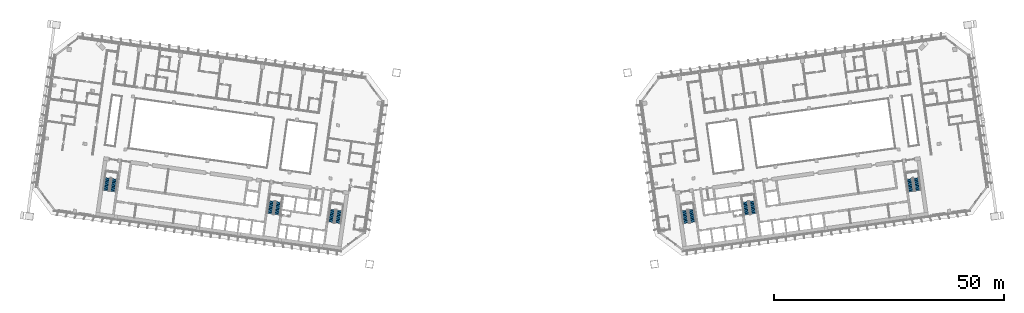
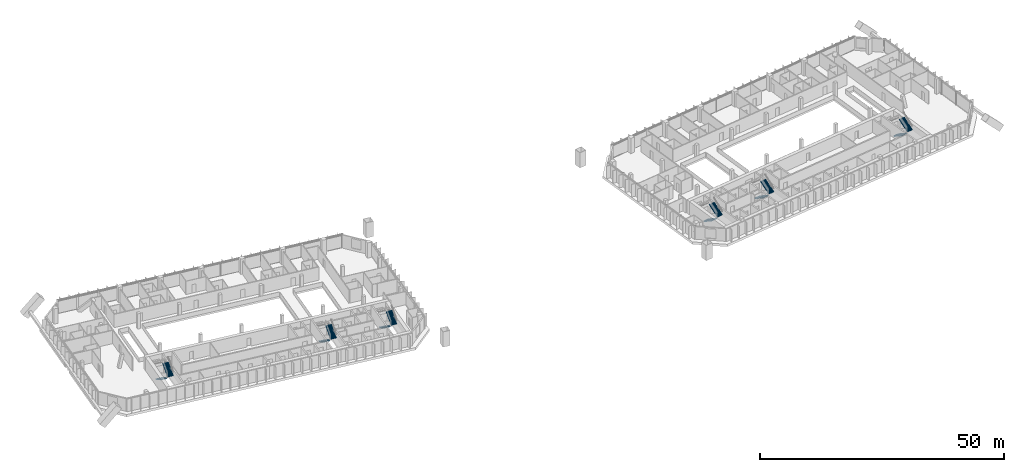
# One storey, part 27 of 34: 12 stair flights, 6 elements without a shape of their own.
"""IFC4 building model written with IfcOpenShell, lengths in metres."""

from ifc_helpers import new_model, si_unit, direction, frame, origin, place, context, subcontext, project, spatial, polyline, outline, extrude, material, type_object, element, aggregate, save


model = new_model("IFC4")

# Units and contexts
model_context = context("Model", 3, precision=1e-05, world=origin(), true_north=direction((0.0, 1.0)))
body_context = subcontext(model_context, "Body", "Model", "MODEL_VIEW")
ifc_project = project(units=[si_unit("LENGTHUNIT", "METRE"), si_unit("AREAUNIT", "SQUARE_METRE"), si_unit("VOLUMEUNIT", "CUBIC_METRE"), si_unit("PLANEANGLEUNIT", "RADIAN"), si_unit("MASSUNIT", "GRAM", prefix="KILO")], contexts=[model_context])

# Site, building, storey
site_placement = place(None, origin())
site = spatial("IfcSite", under=ifc_project, at=site_placement, CompositionType="ELEMENT")
building_placement = place(site_placement, origin())
building = spatial("IfcBuilding", under=site, at=building_placement, Name="Mirante Cascada Hotel Towers", CompositionType="ELEMENT")
storey_placement = place(building_placement, frame((0.0, 0.0, 148.1)))
storey = spatial("IfcBuildingStorey", under=building, at=storey_placement, Name="L34", CompositionType="ELEMENT", Elevation=148.1)

# Stair, stair flights
ifc_material_1 = material(Name="Concrete C35/45", Category="concrete")
stair_type = type_object("IfcStairType", Name="Exit stair half-turn 1350 concrete C35/45", PredefinedType="HALF_TURN_STAIR", material=ifc_material_1)
stair_1_placement = place(storey_placement, origin())
stair_1 = element("IfcStair", 1, at=stair_1_placement, inside=storey, type_object=stair_type, Name="L34 Exit stair A", PredefinedType="HALF_TURN_STAIR")
ifc_material_2 = material(Name="Concrete C35/45", Category="concrete")
stair_flight_type = type_object("IfcStairFlightType", Name="Exit stair flight 1350 concrete C35/45", PredefinedType="STRAIGHT", material=ifc_material_2)
stair_flight_1_placement = place(storey_placement, frame((-38.9417, -11.195, 0.0), z_axis=(0.0, 0.0, 1.0), x_axis=(-0.1391731, -0.9902681, 0.0)))
stair_flight_1 = element("IfcStairFlight", 2, at=stair_flight_1_placement, type_object=stair_flight_type, Name="ST1-A flight 1", NumberOfRisers=11, NumberOfTreads=10, PredefinedType="STRAIGHT", RiserHeight=0.172727273, TreadLength=0.28, context=body_context, shape_type="SweptSolid", body=[
    extrude(outline(polyline([(0.0, 0.0), (0.0, 0.1727), (0.28, 0.1727), (0.28, 0.3455), (0.56, 0.3455), (0.56, 0.5182), (0.84, 0.5182), (0.84, 0.6909), (1.12, 0.6909), (1.12, 0.8636), (1.4, 0.8636), (1.4, 1.0364), (1.68, 1.0364), (1.68, 1.2091), (1.96, 1.2091), (1.96, 1.3818), (2.24, 1.3818), (2.24, 1.5545), (2.52, 1.5545), (2.52, 1.7273), (2.8, 1.7273), (2.8, 1.9), (2.8, 1.551), (0.2857, 0.0), (0.0, 0.0)])), frame((0.0, 0.675, 0.0), z_axis=(0.0, -1.0, 0.0), x_axis=(1.0, 0.0, 0.0)), (0.0, 0.0, 1.0), 1.35),
])
stair_flight_2_placement = place(storey_placement, frame((-37.846, -14.1765, 1.9), z_axis=(0.0, 0.0, 1.0), x_axis=(0.1391731, 0.9902681, 0.0)))
stair_flight_2 = element("IfcStairFlight", 3, at=stair_flight_2_placement, type_object=stair_flight_type, Name="ST1-A flight 2", NumberOfRisers=11, NumberOfTreads=10, PredefinedType="STRAIGHT", RiserHeight=0.172727273, TreadLength=0.28, context=body_context, shape_type="SweptSolid", body=[
    extrude(outline(polyline([(0.0, 0.0), (0.0, 0.1727), (0.28, 0.1727), (0.28, 0.3455), (0.56, 0.3455), (0.56, 0.5182), (0.84, 0.5182), (0.84, 0.6909), (1.12, 0.6909), (1.12, 0.8636), (1.4, 0.8636), (1.4, 1.0364), (1.68, 1.0364), (1.68, 1.2091), (1.96, 1.2091), (1.96, 1.3818), (2.24, 1.3818), (2.24, 1.5545), (2.52, 1.5545), (2.52, 1.7273), (2.8, 1.7273), (2.8, 1.9), (2.8, 1.551), (0.2857, 0.0), (0.0, 0.0)])), frame((0.0, 0.675, 0.0), z_axis=(0.0, -1.0, 0.0), x_axis=(1.0, 0.0, 0.0)), (0.0, 0.0, 1.0), 1.35),
])
aggregate(stair_1, [stair_flight_1, stair_flight_2])

stair_2_placement = place(storey_placement, origin())
stair_2 = element("IfcStair", 4, at=stair_2_placement, inside=storey, type_object=stair_type, Name="L34 Exit stair B", PredefinedType="HALF_TURN_STAIR")
stair_flight_3_placement = place(storey_placement, frame((-52.1618, -9.3371, 0.0), z_axis=(0.0, 0.0, 1.0), x_axis=(-0.1391731, -0.9902681, 0.0)))
stair_flight_3 = element("IfcStairFlight", 5, at=stair_flight_3_placement, type_object=stair_flight_type, Name="ST1-B flight 1", NumberOfRisers=11, NumberOfTreads=10, PredefinedType="STRAIGHT", RiserHeight=0.172727273, TreadLength=0.28, context=body_context, shape_type="SweptSolid", body=[
    extrude(outline(polyline([(0.0, 0.0), (0.0, 0.1727), (0.28, 0.1727), (0.28, 0.3455), (0.56, 0.3455), (0.56, 0.5182), (0.84, 0.5182), (0.84, 0.6909), (1.12, 0.6909), (1.12, 0.8636), (1.4, 0.8636), (1.4, 1.0364), (1.68, 1.0364), (1.68, 1.2091), (1.96, 1.2091), (1.96, 1.3818), (2.24, 1.3818), (2.24, 1.5545), (2.52, 1.5545), (2.52, 1.7273), (2.8, 1.7273), (2.8, 1.9), (2.8, 1.551), (0.2857, 0.0), (0.0, 0.0)])), frame((0.0, 0.675, 0.0), z_axis=(0.0, -1.0, 0.0), x_axis=(1.0, 0.0, 0.0)), (0.0, 0.0, 1.0), 1.35),
])
stair_flight_4_placement = place(storey_placement, frame((-51.0661, -12.3186, 1.9), z_axis=(0.0, 0.0, 1.0), x_axis=(0.1391731, 0.9902681, 0.0)))
stair_flight_4 = element("IfcStairFlight", 6, at=stair_flight_4_placement, type_object=stair_flight_type, Name="ST1-B flight 2", NumberOfRisers=11, NumberOfTreads=10, PredefinedType="STRAIGHT", RiserHeight=0.172727273, TreadLength=0.28, context=body_context, shape_type="SweptSolid", body=[
    extrude(outline(polyline([(0.0, 0.0), (0.0, 0.1727), (0.28, 0.1727), (0.28, 0.3455), (0.56, 0.3455), (0.56, 0.5182), (0.84, 0.5182), (0.84, 0.6909), (1.12, 0.6909), (1.12, 0.8636), (1.4, 0.8636), (1.4, 1.0364), (1.68, 1.0364), (1.68, 1.2091), (1.96, 1.2091), (1.96, 1.3818), (2.24, 1.3818), (2.24, 1.5545), (2.52, 1.5545), (2.52, 1.7273), (2.8, 1.7273), (2.8, 1.9), (2.8, 1.551), (0.2857, 0.0), (0.0, 0.0)])), frame((0.0, 0.675, 0.0), z_axis=(0.0, -1.0, 0.0), x_axis=(1.0, 0.0, 0.0)), (0.0, 0.0, 1.0), 1.35),
])
aggregate(stair_2, [stair_flight_3, stair_flight_4])

stair_3_placement = place(storey_placement, origin())
stair_3 = element("IfcStair", 7, at=stair_3_placement, inside=storey, type_object=stair_type, Name="L34 Exit stair C", PredefinedType="HALF_TURN_STAIR")
stair_flight_5_placement = place(storey_placement, frame((-87.8115, -4.3268, 0.0), z_axis=(0.0, 0.0, 1.0), x_axis=(-0.1391731, -0.9902681, 0.0)))
stair_flight_5 = element("IfcStairFlight", 8, at=stair_flight_5_placement, type_object=stair_flight_type, Name="ST1-C flight 1", NumberOfRisers=11, NumberOfTreads=10, PredefinedType="STRAIGHT", RiserHeight=0.172727273, TreadLength=0.28, context=body_context, shape_type="SweptSolid", body=[
    extrude(outline(polyline([(0.0, 0.0), (0.0, 0.1727), (0.28, 0.1727), (0.28, 0.3455), (0.56, 0.3455), (0.56, 0.5182), (0.84, 0.5182), (0.84, 0.6909), (1.12, 0.6909), (1.12, 0.8636), (1.4, 0.8636), (1.4, 1.0364), (1.68, 1.0364), (1.68, 1.2091), (1.96, 1.2091), (1.96, 1.3818), (2.24, 1.3818), (2.24, 1.5545), (2.52, 1.5545), (2.52, 1.7273), (2.8, 1.7273), (2.8, 1.9), (2.8, 1.551), (0.2857, 0.0), (0.0, 0.0)])), frame((0.0, 0.675, 0.0), z_axis=(0.0, -1.0, 0.0), x_axis=(1.0, 0.0, 0.0)), (0.0, 0.0, 1.0), 1.35),
])
stair_flight_6_placement = place(storey_placement, frame((-86.7157, -7.3084, 1.9), z_axis=(0.0, 0.0, 1.0), x_axis=(0.1391731, 0.9902681, 0.0)))
stair_flight_6 = element("IfcStairFlight", 9, at=stair_flight_6_placement, type_object=stair_flight_type, Name="ST1-C flight 2", NumberOfRisers=11, NumberOfTreads=10, PredefinedType="STRAIGHT", RiserHeight=0.172727273, TreadLength=0.28, context=body_context, shape_type="SweptSolid", body=[
    extrude(outline(polyline([(0.0, 0.0), (0.0, 0.1727), (0.28, 0.1727), (0.28, 0.3455), (0.56, 0.3455), (0.56, 0.5182), (0.84, 0.5182), (0.84, 0.6909), (1.12, 0.6909), (1.12, 0.8636), (1.4, 0.8636), (1.4, 1.0364), (1.68, 1.0364), (1.68, 1.2091), (1.96, 1.2091), (1.96, 1.3818), (2.24, 1.3818), (2.24, 1.5545), (2.52, 1.5545), (2.52, 1.7273), (2.8, 1.7273), (2.8, 1.9), (2.8, 1.551), (0.2857, 0.0), (0.0, 0.0)])), frame((0.0, 0.675, 0.0), z_axis=(0.0, -1.0, 0.0), x_axis=(1.0, 0.0, 0.0)), (0.0, 0.0, 1.0), 1.35),
])
aggregate(stair_3, [stair_flight_5, stair_flight_6])

stair_4_placement = place(storey_placement, origin())
stair_4 = element("IfcStair", 10, at=stair_4_placement, inside=storey, type_object=stair_type, Name="L34 Exit stair A", PredefinedType="HALF_TURN_STAIR")
stair_flight_7_placement = place(storey_placement, frame((37.4563, -11.4038, 0.0), z_axis=(0.0, 0.0, 1.0), x_axis=(0.1391731, -0.9902681, 0.0)))
stair_flight_7 = element("IfcStairFlight", 11, at=stair_flight_7_placement, type_object=stair_flight_type, Name="ST2-A flight 1", NumberOfRisers=11, NumberOfTreads=10, PredefinedType="STRAIGHT", RiserHeight=0.172727273, TreadLength=0.28, context=body_context, shape_type="SweptSolid", body=[
    extrude(outline(polyline([(0.0, 0.0), (0.0, 0.1727), (0.28, 0.1727), (0.28, 0.3455), (0.56, 0.3455), (0.56, 0.5182), (0.84, 0.5182), (0.84, 0.6909), (1.12, 0.6909), (1.12, 0.8636), (1.4, 0.8636), (1.4, 1.0364), (1.68, 1.0364), (1.68, 1.2091), (1.96, 1.2091), (1.96, 1.3818), (2.24, 1.3818), (2.24, 1.5545), (2.52, 1.5545), (2.52, 1.7273), (2.8, 1.7273), (2.8, 1.9), (2.8, 1.551), (0.2857, 0.0), (0.0, 0.0)])), frame((0.0, 0.675, 0.0), z_axis=(0.0, -1.0, 0.0), x_axis=(1.0, 0.0, 0.0)), (0.0, 0.0, 1.0), 1.35),
])
stair_flight_8_placement = place(storey_placement, frame((39.3314, -13.9678, 1.9), z_axis=(0.0, 0.0, 1.0), x_axis=(-0.1391731, 0.9902681, 0.0)))
stair_flight_8 = element("IfcStairFlight", 12, at=stair_flight_8_placement, type_object=stair_flight_type, Name="ST2-A flight 2", NumberOfRisers=11, NumberOfTreads=10, PredefinedType="STRAIGHT", RiserHeight=0.172727273, TreadLength=0.28, context=body_context, shape_type="SweptSolid", body=[
    extrude(outline(polyline([(0.0, 0.0), (0.0, 0.1727), (0.28, 0.1727), (0.28, 0.3455), (0.56, 0.3455), (0.56, 0.5182), (0.84, 0.5182), (0.84, 0.6909), (1.12, 0.6909), (1.12, 0.8636), (1.4, 0.8636), (1.4, 1.0364), (1.68, 1.0364), (1.68, 1.2091), (1.96, 1.2091), (1.96, 1.3818), (2.24, 1.3818), (2.24, 1.5545), (2.52, 1.5545), (2.52, 1.7273), (2.8, 1.7273), (2.8, 1.9), (2.8, 1.551), (0.2857, 0.0), (0.0, 0.0)])), frame((0.0, 0.675, 0.0), z_axis=(0.0, -1.0, 0.0), x_axis=(1.0, 0.0, 0.0)), (0.0, 0.0, 1.0), 1.35),
])
aggregate(stair_4, [stair_flight_7, stair_flight_8])

stair_5_placement = place(storey_placement, origin())
stair_5 = element("IfcStair", 13, at=stair_5_placement, inside=storey, type_object=stair_type, Name="L34 Exit stair B", PredefinedType="HALF_TURN_STAIR")
stair_flight_9_placement = place(storey_placement, frame((50.6764, -9.5458, 0.0), z_axis=(0.0, 0.0, 1.0), x_axis=(0.1391731, -0.9902681, 0.0)))
stair_flight_9 = element("IfcStairFlight", 14, at=stair_flight_9_placement, type_object=stair_flight_type, Name="ST2-B flight 1", NumberOfRisers=11, NumberOfTreads=10, PredefinedType="STRAIGHT", RiserHeight=0.172727273, TreadLength=0.28, context=body_context, shape_type="SweptSolid", body=[
    extrude(outline(polyline([(0.0, 0.0), (0.0, 0.1727), (0.28, 0.1727), (0.28, 0.3455), (0.56, 0.3455), (0.56, 0.5182), (0.84, 0.5182), (0.84, 0.6909), (1.12, 0.6909), (1.12, 0.8636), (1.4, 0.8636), (1.4, 1.0364), (1.68, 1.0364), (1.68, 1.2091), (1.96, 1.2091), (1.96, 1.3818), (2.24, 1.3818), (2.24, 1.5545), (2.52, 1.5545), (2.52, 1.7273), (2.8, 1.7273), (2.8, 1.9), (2.8, 1.551), (0.2857, 0.0), (0.0, 0.0)])), frame((0.0, 0.675, 0.0), z_axis=(0.0, -1.0, 0.0), x_axis=(1.0, 0.0, 0.0)), (0.0, 0.0, 1.0), 1.35),
])
stair_flight_10_placement = place(storey_placement, frame((52.5515, -12.1098, 1.9), z_axis=(0.0, 0.0, 1.0), x_axis=(-0.1391731, 0.9902681, 0.0)))
stair_flight_10 = element("IfcStairFlight", 15, at=stair_flight_10_placement, type_object=stair_flight_type, Name="ST2-B flight 2", NumberOfRisers=11, NumberOfTreads=10, PredefinedType="STRAIGHT", RiserHeight=0.172727273, TreadLength=0.28, context=body_context, shape_type="SweptSolid", body=[
    extrude(outline(polyline([(0.0, 0.0), (0.0, 0.1727), (0.28, 0.1727), (0.28, 0.3455), (0.56, 0.3455), (0.56, 0.5182), (0.84, 0.5182), (0.84, 0.6909), (1.12, 0.6909), (1.12, 0.8636), (1.4, 0.8636), (1.4, 1.0364), (1.68, 1.0364), (1.68, 1.2091), (1.96, 1.2091), (1.96, 1.3818), (2.24, 1.3818), (2.24, 1.5545), (2.52, 1.5545), (2.52, 1.7273), (2.8, 1.7273), (2.8, 1.9), (2.8, 1.551), (0.2857, 0.0), (0.0, 0.0)])), frame((0.0, 0.675, 0.0), z_axis=(0.0, -1.0, 0.0), x_axis=(1.0, 0.0, 0.0)), (0.0, 0.0, 1.0), 1.35),
])
aggregate(stair_5, [stair_flight_9, stair_flight_10])

stair_6_placement = place(storey_placement, origin())
stair_6 = element("IfcStair", 16, at=stair_6_placement, inside=storey, type_object=stair_type, Name="L34 Exit stair C", PredefinedType="HALF_TURN_STAIR")
stair_flight_11_placement = place(storey_placement, frame((86.326, -4.5356, 0.0), z_axis=(0.0, 0.0, 1.0), x_axis=(0.1391731, -0.9902681, 0.0)))
stair_flight_11 = element("IfcStairFlight", 17, at=stair_flight_11_placement, type_object=stair_flight_type, Name="ST2-C flight 1", NumberOfRisers=11, NumberOfTreads=10, PredefinedType="STRAIGHT", RiserHeight=0.172727273, TreadLength=0.28, context=body_context, shape_type="SweptSolid", body=[
    extrude(outline(polyline([(0.0, 0.0), (0.0, 0.1727), (0.28, 0.1727), (0.28, 0.3455), (0.56, 0.3455), (0.56, 0.5182), (0.84, 0.5182), (0.84, 0.6909), (1.12, 0.6909), (1.12, 0.8636), (1.4, 0.8636), (1.4, 1.0364), (1.68, 1.0364), (1.68, 1.2091), (1.96, 1.2091), (1.96, 1.3818), (2.24, 1.3818), (2.24, 1.5545), (2.52, 1.5545), (2.52, 1.7273), (2.8, 1.7273), (2.8, 1.9), (2.8, 1.551), (0.2857, 0.0), (0.0, 0.0)])), frame((0.0, 0.675, 0.0), z_axis=(0.0, -1.0, 0.0), x_axis=(1.0, 0.0, 0.0)), (0.0, 0.0, 1.0), 1.35),
])
stair_flight_12_placement = place(storey_placement, frame((88.2011, -7.0996, 1.9), z_axis=(0.0, 0.0, 1.0), x_axis=(-0.1391731, 0.9902681, 0.0)))
stair_flight_12 = element("IfcStairFlight", 18, at=stair_flight_12_placement, type_object=stair_flight_type, Name="ST2-C flight 2", NumberOfRisers=11, NumberOfTreads=10, PredefinedType="STRAIGHT", RiserHeight=0.172727273, TreadLength=0.28, context=body_context, shape_type="SweptSolid", body=[
    extrude(outline(polyline([(0.0, 0.0), (0.0, 0.1727), (0.28, 0.1727), (0.28, 0.3455), (0.56, 0.3455), (0.56, 0.5182), (0.84, 0.5182), (0.84, 0.6909), (1.12, 0.6909), (1.12, 0.8636), (1.4, 0.8636), (1.4, 1.0364), (1.68, 1.0364), (1.68, 1.2091), (1.96, 1.2091), (1.96, 1.3818), (2.24, 1.3818), (2.24, 1.5545), (2.52, 1.5545), (2.52, 1.7273), (2.8, 1.7273), (2.8, 1.9), (2.8, 1.551), (0.2857, 0.0), (0.0, 0.0)])), frame((0.0, 0.675, 0.0), z_axis=(0.0, -1.0, 0.0), x_axis=(1.0, 0.0, 0.0)), (0.0, 0.0, 1.0), 1.35),
])
aggregate(stair_6, [stair_flight_11, stair_flight_12])

save(model, "model.ifc")
